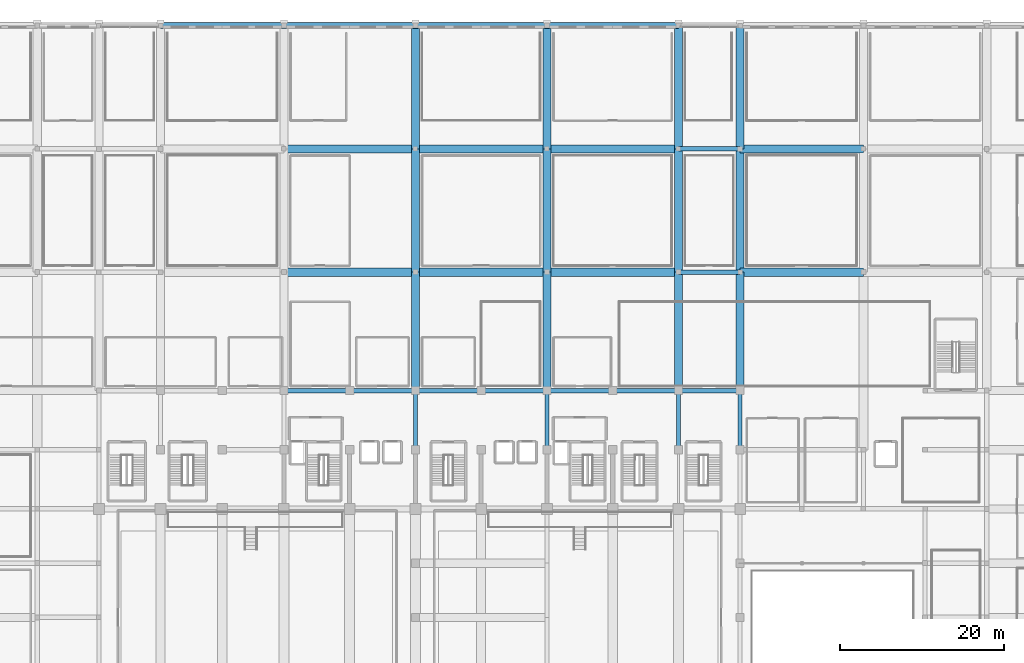
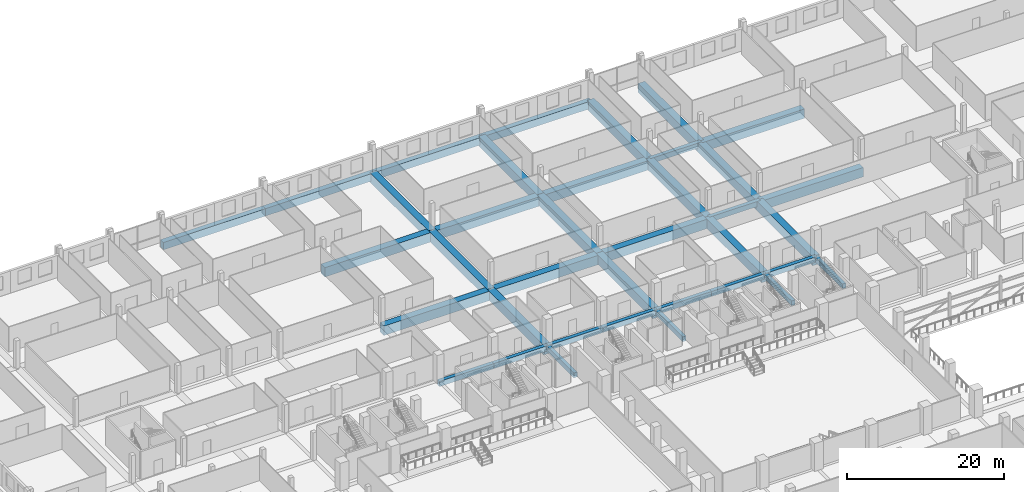
# One storey, part 31 of 68: 37 beams.
"""IFC4 building model written with IfcOpenShell, lengths in metres."""

from ifc_helpers import new_model, si_unit, direction, frame, origin, origin_2d, place, context, subcontext, project, spatial, rectangle, extrude, material, material_profile, profile_set, type_object, element, save


model = new_model("IFC4")

# Units and contexts
model_context = context("Model", 3, precision=1e-05, world=origin(), true_north=direction((0.0, 1.0)))
body_context = subcontext(model_context, "Body", "Model", "MODEL_VIEW")
ifc_project = project(units=[si_unit("LENGTHUNIT", "METRE"), si_unit("AREAUNIT", "SQUARE_METRE"), si_unit("VOLUMEUNIT", "CUBIC_METRE"), si_unit("PLANEANGLEUNIT", "RADIAN"), si_unit("MASSUNIT", "GRAM", prefix="KILO")], contexts=[model_context])

# Site, building, storey
site_placement = place(None, origin())
site = spatial("IfcSite", under=ifc_project, at=site_placement, CompositionType="ELEMENT")
building_placement = place(site_placement, origin())
building = spatial("IfcBuilding", under=site, at=building_placement, Name="Akrevak Sports Hall", CompositionType="ELEMENT")
storey_placement = place(building_placement, frame((0.0, 0.0, 9.39990234375)))
storey = spatial("IfcBuildingStorey", under=building, at=storey_placement, Name="L02", CompositionType="ELEMENT", Elevation=9.39990234375)

# Beams
ifc_material_1 = material(Name="Concrete C50/60", Category="concrete")
ifc_material_profile_1 = material_profile(ifc_material_1, rectangle(XDim=1.0, YDim=1.449951171875, at=origin_2d()), Name="BM 1000x1450", Category="concrete")
ifc_profile_set_1 = profile_set([ifc_material_profile_1], Name="Concrete C50/60")
beam_type_1 = type_object("IfcBeamType", Name="STR-BM-LG1000x1450", PredefinedType="BEAM", material=ifc_profile_set_1)
for number, where, z_axis, x_axis, name in (
    (1, (60.0, 84.0, -0.724853515625), (1.0, 0.0, 0.0), (0.0, 1.0, 0.0), "Girder M/9-11 (L02)"),
    (2, (76.0, 84.0, -0.724853515625), (1.0, 0.0, 0.0), (0.0, 1.0, 0.0), "Girder M/11-13 (L02)"),
    (3, (92.0, 84.0, -0.724853515625), (1.0, 0.0, 0.0), (0.0, 1.0, 0.0), "Girder M/13-15 (L02)"),
):
    element("IfcBeam", number, at=place(storey_placement, frame(where, z_axis=z_axis, x_axis=x_axis)), inside=storey, type_object=beam_type_1, Name=name, PredefinedType="BEAM", context=body_context, shape_type="SweptSolid", body=[
        extrude(rectangle(XDim=1.0, YDim=1.449951171875, at=origin_2d()), origin(), (0.0, 0.0, 1.0), 16.0),
    ])
beam_1_placement = place(storey_placement, frame((115.5, 84.0, -0.724853515625), z_axis=(1.0, 0.0, 0.0), x_axis=(0.0, 1.0, 0.0)))
element("IfcBeam", 4, at=beam_1_placement, inside=storey, type_object=beam_type_1, Name="Girder M/16-18 (L02)", PredefinedType="BEAM", context=body_context, shape_type="SweptSolid", body=[
    extrude(rectangle(XDim=1.0, YDim=1.449951171875, at=origin_2d()), origin(), (0.0, 0.0, 1.0), 15.0),
])
for number, where, z_axis, x_axis, name in (
    (5, (60.0, 99.0, -0.724853515625), (1.0, 0.0, 0.0), (0.0, 1.0, 0.0), "Girder O/9-11 (L02)"),
    (6, (76.0, 99.0, -0.724853515625), (1.0, 0.0, 0.0), (0.0, 1.0, 0.0), "Girder O/11-13 (L02)"),
    (7, (92.0, 99.0, -0.724853515625), (1.0, 0.0, 0.0), (0.0, 1.0, 0.0), "Girder O/13-15 (L02)"),
):
    element("IfcBeam", number, at=place(storey_placement, frame(where, z_axis=z_axis, x_axis=x_axis)), inside=storey, type_object=beam_type_1, Name=name, PredefinedType="BEAM", context=body_context, shape_type="SweptSolid", body=[
        extrude(rectangle(XDim=1.0, YDim=1.449951171875, at=origin_2d()), origin(), (0.0, 0.0, 1.0), 16.0),
    ])
beam_2_placement = place(storey_placement, frame((115.5, 99.0, -0.724853515625), z_axis=(1.0, 0.0, 0.0), x_axis=(0.0, 1.0, 0.0)))
element("IfcBeam", 8, at=beam_2_placement, inside=storey, type_object=beam_type_1, Name="Girder O/16-18 (L02)", PredefinedType="BEAM", context=body_context, shape_type="SweptSolid", body=[
    extrude(rectangle(XDim=1.0, YDim=1.449951171875, at=origin_2d()), origin(), (0.0, 0.0, 1.0), 15.0),
])
beam_3_placement = place(storey_placement, frame((76.0, 69.60009765625, -0.724853515625), z_axis=(0.0, 1.0, 0.0), x_axis=(-1.0, 0.0, 0.0)))
element("IfcBeam", 9, at=beam_3_placement, inside=storey, type_object=beam_type_1, Name="Girder 11/K-M (L02)", PredefinedType="BEAM", context=body_context, shape_type="SweptSolid", body=[
    extrude(rectangle(XDim=1.0, YDim=1.449951171875, at=origin_2d()), origin(), (0.0, 0.0, 1.0), 14.39990234375),
])
for number, where, z_axis, x_axis, name in (
    (10, (76.0, 84.0, -0.724853515625), (0.0, 1.0, 0.0), (-1.0, 0.0, 0.0), "Girder 11/M-O (L02)"),
    (11, (76.0, 99.0, -0.724853515625), (0.0, 1.0, 0.0), (-1.0, 0.0, 0.0), "Girder 11/O-Q (L02)"),
):
    element("IfcBeam", number, at=place(storey_placement, frame(where, z_axis=z_axis, x_axis=x_axis)), inside=storey, type_object=beam_type_1, Name=name, PredefinedType="BEAM", context=body_context, shape_type="SweptSolid", body=[
        extrude(rectangle(XDim=1.0, YDim=1.449951171875, at=origin_2d()), origin(), (0.0, 0.0, 1.0), 15.0),
    ])
beam_4_placement = place(storey_placement, frame((92.0, 69.60009765625, -0.724853515625), z_axis=(0.0, 1.0, 0.0), x_axis=(-1.0, 0.0, 0.0)))
element("IfcBeam", 12, at=beam_4_placement, inside=storey, type_object=beam_type_1, Name="Girder 13/K-M (L02)", PredefinedType="BEAM", context=body_context, shape_type="SweptSolid", body=[
    extrude(rectangle(XDim=1.0, YDim=1.449951171875, at=origin_2d()), origin(), (0.0, 0.0, 1.0), 14.39990234375),
])
for number, where, z_axis, x_axis, name in (
    (13, (92.0, 84.0, -0.724853515625), (0.0, 1.0, 0.0), (-1.0, 0.0, 0.0), "Girder 13/M-O (L02)"),
    (14, (92.0, 99.0, -0.724853515625), (0.0, 1.0, 0.0), (-1.0, 0.0, 0.0), "Girder 13/O-Q (L02)"),
):
    element("IfcBeam", number, at=place(storey_placement, frame(where, z_axis=z_axis, x_axis=x_axis)), inside=storey, type_object=beam_type_1, Name=name, PredefinedType="BEAM", context=body_context, shape_type="SweptSolid", body=[
        extrude(rectangle(XDim=1.0, YDim=1.449951171875, at=origin_2d()), origin(), (0.0, 0.0, 1.0), 15.0),
    ])
beam_5_placement = place(storey_placement, frame((108.0, 69.60009765625, -0.724853515625), z_axis=(0.0, 1.0, 0.0), x_axis=(-1.0, 0.0, 0.0)))
element("IfcBeam", 15, at=beam_5_placement, inside=storey, type_object=beam_type_1, Name="Girder 15/K-M (L02)", PredefinedType="BEAM", context=body_context, shape_type="SweptSolid", body=[
    extrude(rectangle(XDim=1.0, YDim=1.449951171875, at=origin_2d()), origin(), (0.0, 0.0, 1.0), 14.39990234375),
])
for number, where, z_axis, x_axis, name in (
    (16, (108.0, 84.0, -0.724853515625), (0.0, 1.0, 0.0), (-1.0, 0.0, 0.0), "Girder 15/M-O (L02)"),
    (17, (108.0, 99.0, -0.724853515625), (0.0, 1.0, 0.0), (-1.0, 0.0, 0.0), "Girder 15/O-Q (L02)"),
):
    element("IfcBeam", number, at=place(storey_placement, frame(where, z_axis=z_axis, x_axis=x_axis)), inside=storey, type_object=beam_type_1, Name=name, PredefinedType="BEAM", context=body_context, shape_type="SweptSolid", body=[
        extrude(rectangle(XDim=1.0, YDim=1.449951171875, at=origin_2d()), origin(), (0.0, 0.0, 1.0), 15.0),
    ])
beam_6_placement = place(storey_placement, frame((115.5, 69.60009765625, -0.724853515625), z_axis=(0.0, 1.0, 0.0), x_axis=(-1.0, 0.0, 0.0)))
element("IfcBeam", 18, at=beam_6_placement, inside=storey, type_object=beam_type_1, Name="Girder 16/K-M (L02)", PredefinedType="BEAM", context=body_context, shape_type="SweptSolid", body=[
    extrude(rectangle(XDim=1.0, YDim=1.449951171875, at=origin_2d()), origin(), (0.0, 0.0, 1.0), 14.39990234375),
])
for number, where, z_axis, x_axis, name in (
    (19, (115.5, 84.0, -0.724853515625), (0.0, 1.0, 0.0), (-1.0, 0.0, 0.0), "Girder 16/M-O (L02)"),
    (20, (115.5, 99.0, -0.724853515625), (0.0, 1.0, 0.0), (-1.0, 0.0, 0.0), "Girder 16/O-Q (L02)"),
):
    element("IfcBeam", number, at=place(storey_placement, frame(where, z_axis=z_axis, x_axis=x_axis)), inside=storey, type_object=beam_type_1, Name=name, PredefinedType="BEAM", context=body_context, shape_type="SweptSolid", body=[
        extrude(rectangle(XDim=1.0, YDim=1.449951171875, at=origin_2d()), origin(), (0.0, 0.0, 1.0), 15.0),
    ])
ifc_material_2 = material(Name="Concrete C40/50", Category="concrete")
ifc_material_profile_2 = material_profile(ifc_material_2, rectangle(XDim=0.5, YDim=0.75, at=origin_2d()), Name="BM 500x750", Category="concrete")
ifc_profile_set_2 = profile_set([ifc_material_profile_2], Name="Concrete C40/50")
beam_type_2 = type_object("IfcBeamType", Name="STR-BM-RC500x750", PredefinedType="BEAM", material=ifc_profile_set_2)
for number, where, z_axis, x_axis, name in (
    (21, (76.0, 62.39990234375, -0.375), (0.0, 1.0, 0.0), (-1.0, 0.0, 0.0), "Girder 11/J-K (L02)"),
    (22, (92.0, 62.39990234375, -0.375), (0.0, 1.0, 0.0), (-1.0, 0.0, 0.0), "Girder 13/J-K (L02)"),
    (23, (108.0, 62.39990234375, -0.375), (0.0, 1.0, 0.0), (-1.0, 0.0, 0.0), "Girder 15/J-K (L02)"),
    (24, (115.5, 62.39990234375, -0.375), (0.0, 1.0, 0.0), (-1.0, 0.0, 0.0), "Girder 16/J-K (L02)"),
):
    element("IfcBeam", number, at=place(storey_placement, frame(where, z_axis=z_axis, x_axis=x_axis)), inside=storey, type_object=beam_type_2, Name=name, PredefinedType="BEAM", context=body_context, shape_type="SweptSolid", body=[
        extrude(rectangle(XDim=0.5, YDim=0.75, at=origin_2d()), origin(), (0.0, 0.0, 1.0), 7.2001953125),
    ])
ifc_material_profile_3 = material_profile(ifc_material_2, rectangle(XDim=0.550048828125, YDim=0.800048828125, at=origin_2d()), Name="BM 550x800", Category="concrete")
ifc_profile_set_3 = profile_set([ifc_material_profile_3], Name="Concrete C40/50")
beam_type_3 = type_object("IfcBeamType", Name="STR-BM-RC550x800", PredefinedType="BEAM", material=ifc_profile_set_3)
for number, where, z_axis, x_axis, name in (
    (25, (60.0, 69.60009765625, -0.39990234375), (1.0, 0.0, 0.0), (0.0, 1.0, 0.0), "Girder K/9-10 (L02)"),
    (26, (68.0, 69.60009765625, -0.39990234375), (1.0, 0.0, 0.0), (0.0, 1.0, 0.0), "Girder K/10-11 (L02)"),
    (27, (76.0, 69.60009765625, -0.39990234375), (1.0, 0.0, 0.0), (0.0, 1.0, 0.0), "Girder K/11-12 (L02)"),
    (28, (84.0, 69.60009765625, -0.39990234375), (1.0, 0.0, 0.0), (0.0, 1.0, 0.0), "Girder K/12-13 (L02)"),
    (29, (92.0, 69.60009765625, -0.39990234375), (1.0, 0.0, 0.0), (0.0, 1.0, 0.0), "Girder K/13-14 (L02)"),
    (30, (100.0, 69.60009765625, -0.39990234375), (1.0, 0.0, 0.0), (0.0, 1.0, 0.0), "Girder K/14-15 (L02)"),
):
    element("IfcBeam", number, at=place(storey_placement, frame(where, z_axis=z_axis, x_axis=x_axis)), inside=storey, type_object=beam_type_3, Name=name, PredefinedType="BEAM", context=body_context, shape_type="SweptSolid", body=[
        extrude(rectangle(XDim=0.550048828125, YDim=0.800048828125, at=origin_2d()), origin(), (0.0, 0.0, 1.0), 8.0),
    ])
for number, where, z_axis, x_axis, name in (
    (31, (108.0, 69.60009765625, -0.39990234375), (1.0, 0.0, 0.0), (0.0, 1.0, 0.0), "Girder K/15-16 (L02)"),
    (32, (108.0, 84.0, -0.39990234375), (1.0, 0.0, 0.0), (0.0, 1.0, 0.0), "Girder M/15-16 (L02)"),
    (33, (108.0, 99.0, -0.39990234375), (1.0, 0.0, 0.0), (0.0, 1.0, 0.0), "Girder O/15-16 (L02)"),
):
    element("IfcBeam", number, at=place(storey_placement, frame(where, z_axis=z_axis, x_axis=x_axis)), inside=storey, type_object=beam_type_3, Name=name, PredefinedType="BEAM", context=body_context, shape_type="SweptSolid", body=[
        extrude(rectangle(XDim=0.550048828125, YDim=0.800048828125, at=origin_2d()), origin(), (0.0, 0.0, 1.0), 7.5),
    ])
ifc_material_profile_4 = material_profile(ifc_material_1, rectangle(XDim=0.75, YDim=1.14990234375, at=origin_2d()), Name="SPD 750x1150", Category="concrete")
ifc_profile_set_4 = profile_set([ifc_material_profile_4], Name="Concrete C50/60")
beam_type_4 = type_object("IfcBeamType", Name="STR-SPD-LSP750x1150", PredefinedType="SPANDREL", material=ifc_profile_set_4)
beam_7_placement = place(storey_placement, frame((45.0, 114.0, -0.574951171875), z_axis=(1.0, 0.0, 0.0), x_axis=(0.0, 1.0, 0.0)))
element("IfcBeam", 34, at=beam_7_placement, inside=storey, type_object=beam_type_4, Name="Girder Q/7-9 (L02)", PredefinedType="SPANDREL", context=body_context, shape_type="SweptSolid", body=[
    extrude(rectangle(XDim=0.75, YDim=1.14990234375, at=origin_2d()), origin(), (0.0, 0.0, 1.0), 15.0),
])
for number, where, z_axis, x_axis, name in (
    (35, (60.0, 114.0, -0.574951171875), (1.0, 0.0, 0.0), (0.0, 1.0, 0.0), "Girder Q/9-11 (L02)"),
    (36, (76.0, 114.0, -0.574951171875), (1.0, 0.0, 0.0), (0.0, 1.0, 0.0), "Girder Q/11-13 (L02)"),
    (37, (92.0, 114.0, -0.574951171875), (1.0, 0.0, 0.0), (0.0, 1.0, 0.0), "Girder Q/13-15 (L02)"),
):
    element("IfcBeam", number, at=place(storey_placement, frame(where, z_axis=z_axis, x_axis=x_axis)), inside=storey, type_object=beam_type_4, Name=name, PredefinedType="SPANDREL", context=body_context, shape_type="SweptSolid", body=[
        extrude(rectangle(XDim=0.75, YDim=1.14990234375, at=origin_2d()), origin(), (0.0, 0.0, 1.0), 16.0),
    ])

save(model, "model.ifc")
